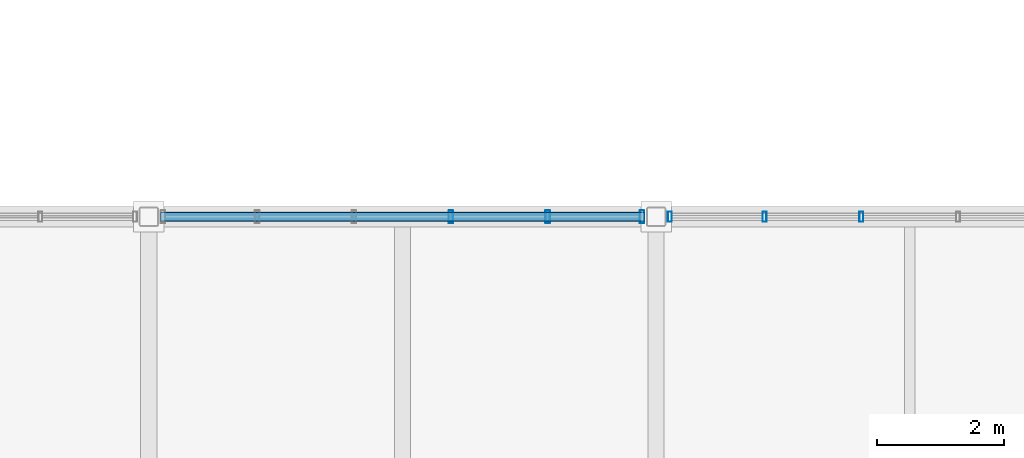
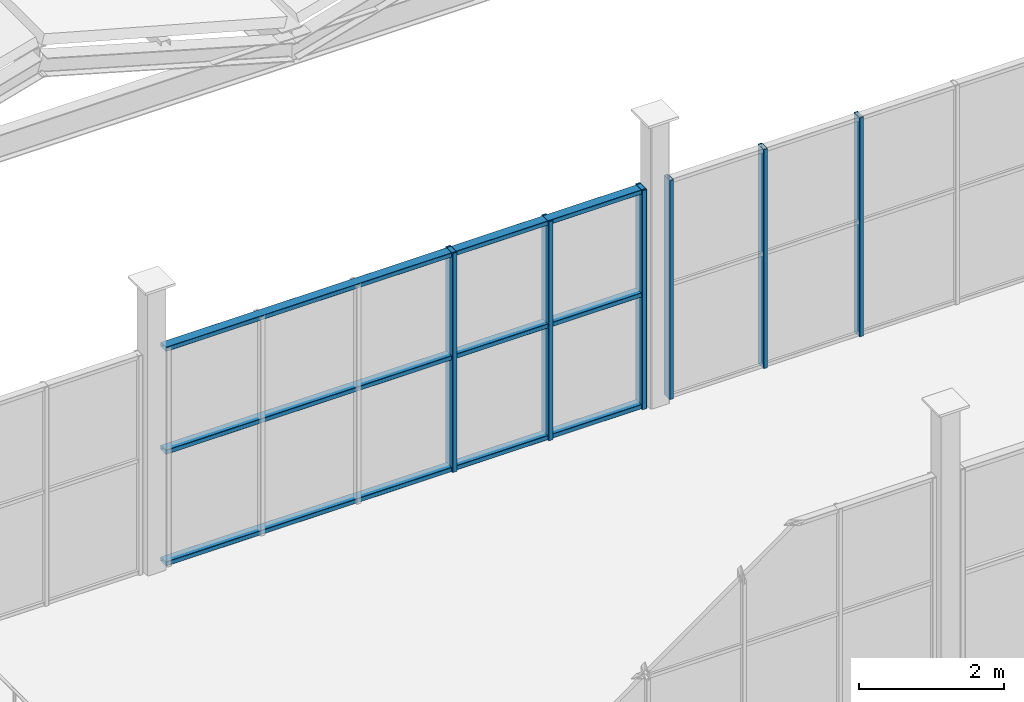
# One storey, part 53 of 114: 9 members, 2 elements without a shape of their own.
"""IFC4 building model written with IfcOpenShell, lengths in metres."""

from ifc_helpers import new_model, si_unit, direction, frame, origin, origin_2d, place, context, subcontext, project, spatial, hollow_rectangle, extrude, material, material_profile, profile_set, type_object, element, aggregate, save


model = new_model("IFC4")

# Units and contexts
model_context = context("Model", 3, precision=1e-05, world=origin(), true_north=direction((0.0, 1.0)))
body_context = subcontext(model_context, "Body", "Model", "MODEL_VIEW")
ifc_project = project(units=[si_unit("LENGTHUNIT", "METRE"), si_unit("AREAUNIT", "SQUARE_METRE"), si_unit("VOLUMEUNIT", "CUBIC_METRE"), si_unit("PLANEANGLEUNIT", "RADIAN"), si_unit("MASSUNIT", "GRAM", prefix="KILO")], contexts=[model_context])

# Site, building, storey
site_placement = place(None, origin())
site = spatial("IfcSite", under=ifc_project, at=site_placement, CompositionType="ELEMENT")
building_placement = place(site_placement, origin())
building = spatial("IfcBuilding", under=site, at=building_placement, Name="Verrall Gate Interchange", CompositionType="ELEMENT")
storey_placement = place(building_placement, frame((0.0, 0.0, 6.60009765625)))
storey = spatial("IfcBuildingStorey", under=building, at=storey_placement, Name="L02", CompositionType="ELEMENT", Elevation=6.60009765625)

# Curtain wall, members
ifc_material_1 = material(Name="Thermally Broken Anodized Aluminium Curtain Wall Framing", Category="aluminium")
curtain_wall_type = type_object("IfcCurtainWallType", Name="CW-21 Unitized Curtain Wall 7631x3680", PredefinedType="NOTDEFINED", material=ifc_material_1)
curtain_wall_1_placement = place(storey_placement, origin())
curtain_wall_1 = element("IfcCurtainWall", 1, at=curtain_wall_1_placement, inside=storey, type_object=curtain_wall_type, Name="L02 Unitized Curtain Wall CW-L02-074", PredefinedType="NOTDEFINED")
ifc_material_2 = material(Name="Thermally Broken Anodized Aluminium Curtain Wall Framing", Category="aluminium")
ifc_material_profile_1 = material_profile(ifc_material_2, hollow_rectangle(XDim=0.06494140625, YDim=0.159912109375, WallThickness=0.00390625, InnerFilletRadius=0.00390625, OuterFilletRadius=0.008056640625, at=origin_2d()), Name="CWM160x65x4")
ifc_profile_set_1 = profile_set([ifc_material_profile_1], Name="Thermally Broken Anodized Aluminium Curtain Wall Framing")
member_type_1 = type_object("IfcMemberType", Name="CM-01 Curtain Mullion CWM160x65x4", PredefinedType="MULLION", material=ifc_profile_set_1)
member_1_placement = place(storey_placement, frame((119.23681640625, 56.0, 0.0), z_axis=(0.0, 0.0, 1.0), x_axis=(-1.0, 0.0, 0.0)))
member_1 = element("IfcMember", 2, at=member_1_placement, type_object=member_type_1, Name="CW-L02-074 Mullion 4", PredefinedType="MULLION", context=body_context, shape_type="SweptSolid", body=[
    extrude(hollow_rectangle(XDim=0.06494140625, YDim=0.159912109375, WallThickness=0.00390625, InnerFilletRadius=0.00390625, OuterFilletRadius=0.008056640625, at=origin_2d()), origin(), (0.0, 0.0, 1.0), 3.679931640625),
])
member_2_placement = place(storey_placement, frame((117.710693359375, 56.0, 0.0), z_axis=(0.0, 0.0, 1.0), x_axis=(-1.0, 0.0, 0.0)))
member_2 = element("IfcMember", 3, at=member_2_placement, type_object=member_type_1, Name="CW-L02-074 Mullion 5", PredefinedType="MULLION", context=body_context, shape_type="SweptSolid", body=[
    extrude(hollow_rectangle(XDim=0.06494140625, YDim=0.159912109375, WallThickness=0.00390625, InnerFilletRadius=0.00390625, OuterFilletRadius=0.008056640625, at=origin_2d()), origin(), (0.0, 0.0, 1.0), 3.679931640625),
])
member_3_placement = place(storey_placement, frame((116.217041015625, 56.0, 0.0), z_axis=(0.0, 0.0, 1.0), x_axis=(-1.0, 0.0, 0.0)))
member_3 = element("IfcMember", 4, at=member_3_placement, type_object=member_type_1, Name="CW-L02-074 Mullion 6", PredefinedType="MULLION", context=body_context, shape_type="SweptSolid", body=[
    extrude(hollow_rectangle(XDim=0.06494140625, YDim=0.159912109375, WallThickness=0.00390625, InnerFilletRadius=0.00390625, OuterFilletRadius=0.008056640625, at=origin_2d()), origin(), (0.0, 0.0, 1.0), 3.679931640625),
])
aggregate(curtain_wall_1, [member_1, member_2, member_3])

curtain_wall_2_placement = place(storey_placement, origin())
curtain_wall_2 = element("IfcCurtainWall", 5, at=curtain_wall_2_placement, inside=storey, type_object=curtain_wall_type, Name="L02 Unitized Curtain Wall CW-L02-075", PredefinedType="NOTDEFINED")
ifc_material_3 = material(Name="Thermally Broken Anodized Aluminium Curtain Wall Framing", Category="aluminium")
ifc_material_profile_2 = material_profile(ifc_material_3, hollow_rectangle(XDim=0.074951171875, YDim=0.199951171875, WallThickness=0.0048828125, InnerFilletRadius=0.0048828125, OuterFilletRadius=0.010009765625, at=origin_2d()), Name="CWM200x75x5")
ifc_profile_set_2 = profile_set([ifc_material_profile_2], Name="Thermally Broken Anodized Aluminium Curtain Wall Framing")
member_type_2 = type_object("IfcMemberType", Name="CM-02 Curtain Mullion CWM200x75x5", PredefinedType="MULLION", material=ifc_profile_set_2)
member_4_placement = place(storey_placement, frame((115.778076171875, 56.0, 0.0), z_axis=(0.0, 0.0, 1.0), x_axis=(-1.0, 0.0, 0.0)))
member_4 = element("IfcMember", 6, at=member_4_placement, type_object=member_type_2, Name="CW-L02-075 Mullion 1", PredefinedType="MULLION", context=body_context, shape_type="SweptSolid", body=[
    extrude(hollow_rectangle(XDim=0.074951171875, YDim=0.199951171875, WallThickness=0.0048828125, InnerFilletRadius=0.0048828125, OuterFilletRadius=0.010009765625, at=origin_2d()), origin(), (0.0, 0.0, 1.0), 3.679931640625),
])
member_5_placement = place(storey_placement, frame((114.289306640625, 56.0, 0.0), z_axis=(0.0, 0.0, 1.0), x_axis=(-1.0, 0.0, 0.0)))
member_5 = element("IfcMember", 7, at=member_5_placement, type_object=member_type_2, Name="CW-L02-075 Mullion 2", PredefinedType="MULLION", context=body_context, shape_type="SweptSolid", body=[
    extrude(hollow_rectangle(XDim=0.074951171875, YDim=0.199951171875, WallThickness=0.0048828125, InnerFilletRadius=0.0048828125, OuterFilletRadius=0.010009765625, at=origin_2d()), origin(), (0.0, 0.0, 1.0), 3.679931640625),
])
member_6_placement = place(storey_placement, frame((112.76318359375, 56.0, 0.0), z_axis=(0.0, 0.0, 1.0), x_axis=(-1.0, 0.0, 0.0)))
member_6 = element("IfcMember", 8, at=member_6_placement, type_object=member_type_2, Name="CW-L02-075 Mullion 3", PredefinedType="MULLION", context=body_context, shape_type="SweptSolid", body=[
    extrude(hollow_rectangle(XDim=0.074951171875, YDim=0.199951171875, WallThickness=0.0048828125, InnerFilletRadius=0.0048828125, OuterFilletRadius=0.010009765625, at=origin_2d()), origin(), (0.0, 0.0, 1.0), 3.679931640625),
])
ifc_material_4 = material(Name="Thermally Broken Anodized Aluminium Curtain Wall Framing", Category="aluminium")
ifc_material_profile_3 = material_profile(ifc_material_4, hollow_rectangle(XDim=0.14990234375, YDim=0.074951171875, WallThickness=0.00439453125, InnerFilletRadius=0.00439453125, OuterFilletRadius=0.009033203125, at=origin_2d()), Name="CWT150x75x4.5")
ifc_profile_set_3 = profile_set([ifc_material_profile_3], Name="Thermally Broken Anodized Aluminium Curtain Wall Framing")
member_type_3 = type_object("IfcMemberType", Name="CT-02 Curtain Transom CWT150x75x4.5", PredefinedType="USERDEFINED", material=ifc_profile_set_3)
member_7_placement = place(storey_placement, frame((115.8154296875, 56.0, 0.037353515625), z_axis=(-1.0, 0.0, 0.0), x_axis=(0.0, -1.0, 0.0)))
member_7 = element("IfcMember", 9, at=member_7_placement, type_object=member_type_3, Name="CW-L02-075 Transom 1", ObjectType="TRANSOM", PredefinedType="USERDEFINED", context=body_context, shape_type="SweptSolid", body=[
    extrude(hollow_rectangle(XDim=0.14990234375, YDim=0.074951171875, WallThickness=0.00439453125, InnerFilletRadius=0.00439453125, OuterFilletRadius=0.009033203125, at=origin_2d()), origin(), (0.0, 0.0, 1.0), 7.630859375),
])
member_8_placement = place(storey_placement, frame((115.8154296875, 56.0, 1.91357421875), z_axis=(-1.0, 0.0, 0.0), x_axis=(0.0, -1.0, 0.0)))
member_8 = element("IfcMember", 10, at=member_8_placement, type_object=member_type_3, Name="CW-L02-075 Transom 2", ObjectType="TRANSOM", PredefinedType="USERDEFINED", context=body_context, shape_type="SweptSolid", body=[
    extrude(hollow_rectangle(XDim=0.14990234375, YDim=0.074951171875, WallThickness=0.00439453125, InnerFilletRadius=0.00439453125, OuterFilletRadius=0.009033203125, at=origin_2d()), origin(), (0.0, 0.0, 1.0), 7.630859375),
])
member_9_placement = place(storey_placement, frame((115.8154296875, 56.0, 3.642333984375), z_axis=(-1.0, 0.0, 0.0), x_axis=(0.0, -1.0, 0.0)))
member_9 = element("IfcMember", 11, at=member_9_placement, type_object=member_type_3, Name="CW-L02-075 Transom 3", ObjectType="TRANSOM", PredefinedType="USERDEFINED", context=body_context, shape_type="SweptSolid", body=[
    extrude(hollow_rectangle(XDim=0.14990234375, YDim=0.074951171875, WallThickness=0.00439453125, InnerFilletRadius=0.00439453125, OuterFilletRadius=0.009033203125, at=origin_2d()), origin(), (0.0, 0.0, 1.0), 7.630859375),
])
aggregate(curtain_wall_2, [member_4, member_5, member_6, member_7, member_8, member_9])

save(model, "model.ifc")
